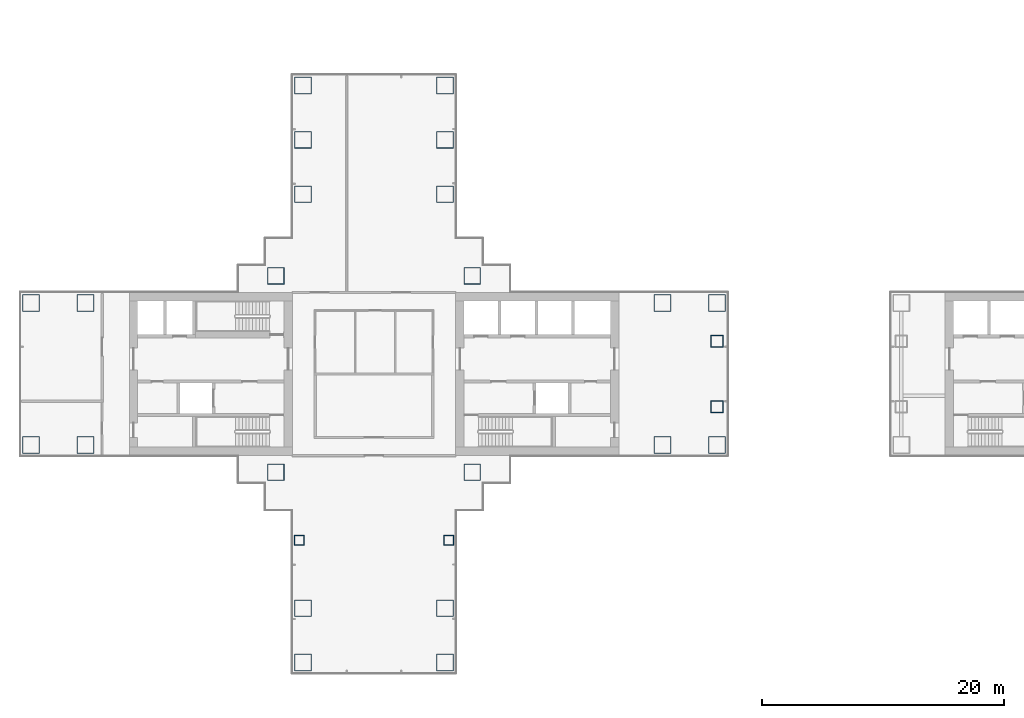
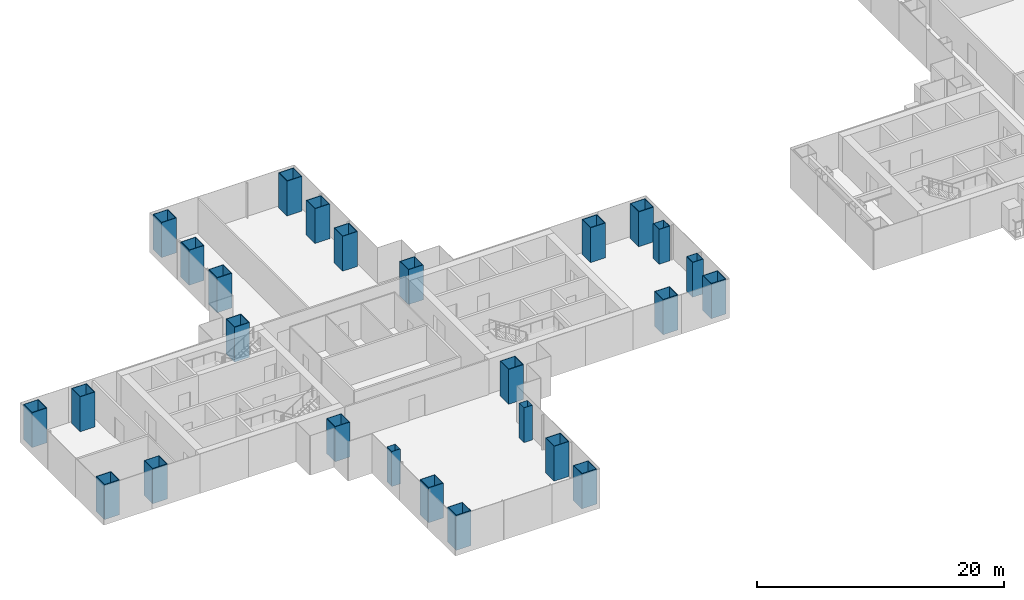
# One storey, part 1 of 22: 26 columns.
"""IFC4 building model written with IfcOpenShell, lengths in metres."""

from ifc_helpers import new_model, si_unit, direction, frame, origin, origin_2d, place, context, subcontext, project, spatial, hollow_rectangle, extrude, material, material_profile, profile_set, type_object, element, save


model = new_model("IFC4")

# Units and contexts
model_context = context("Model", 3, precision=1e-05, world=origin(), true_north=direction((0.0, 1.0)))
body_context = subcontext(model_context, "Body", "Model", "MODEL_VIEW")
ifc_project = project(units=[si_unit("LENGTHUNIT", "METRE"), si_unit("AREAUNIT", "SQUARE_METRE"), si_unit("VOLUMEUNIT", "CUBIC_METRE"), si_unit("PLANEANGLEUNIT", "RADIAN"), si_unit("MASSUNIT", "GRAM", prefix="KILO")], contexts=[model_context])

# Site, building, storey
site_placement = place(None, origin())
site = spatial("IfcSite", under=ifc_project, at=site_placement, CompositionType="ELEMENT")
building_placement = place(site_placement, origin())
building = spatial("IfcBuilding", under=site, at=building_placement, Name="Shamsa Quay Exchange Towers", CompositionType="ELEMENT")
storey_placement = place(building_placement, frame((0.0, 0.0, 73.199951171875)))
storey = spatial("IfcBuildingStorey", under=building, at=storey_placement, Name="L16", CompositionType="ELEMENT", Elevation=73.199951171875)

# Columns
ifc_material_1 = material(Name="Concrete-filled steel tube S355 / C80/95", Category="concrete")
ifc_material_profile_1 = material_profile(ifc_material_1, hollow_rectangle(XDim=1.39990234375, YDim=1.39990234375, WallThickness=0.050048828125, at=origin_2d()), Name="CFT 1400x1400x50")
ifc_profile_set_1 = profile_set([ifc_material_profile_1], Name="Concrete-filled steel tube S355 / C80/95")
column_type_1 = type_object("IfcColumnType", Name="Column CFT 1400x1400x50", PredefinedType="COLUMN", material=ifc_profile_set_1)
for number, where, name in (
    (1, (-25.625, 8.125, 0.0), "Mega column T1-CM01"),
    (2, (-25.625, -8.125, 0.0), "Mega column T1-CM02"),
    (3, (-41.875, 8.125, 0.0), "Mega column T1-CM03"),
    (4, (-41.875, -8.125, 0.0), "Mega column T1-CM04"),
    (5, (-9.875, -5.875, 0.0), "Mega column T1-CM05"),
    (6, (-5.375, -5.875, 0.0), "Mega column T1-CM06"),
    (7, (-9.875, 5.875, 0.0), "Mega column T1-CM07"),
    (8, (-5.375, 5.875, 0.0), "Mega column T1-CM08"),
    (9, (-57.625, -5.875, 0.0), "Mega column T1-CM09"),
    (10, (-62.125, -5.875, 0.0), "Mega column T1-CM10"),
    (11, (-57.625, 5.875, 0.0), "Mega column T1-CM11"),
    (12, (-62.125, 5.875, 0.0), "Mega column T1-CM12"),
    (13, (-39.625, 14.875, 0.0), "Mega column T1-CM13"),
    (14, (-39.625, 19.375, 0.0), "Mega column T1-CM14"),
    (15, (-39.625, 23.875, 0.0), "Mega column T1-CM15"),
    (16, (-27.875, 14.875, 0.0), "Mega column T1-CM16"),
    (17, (-27.875, 19.375, 0.0), "Mega column T1-CM17"),
    (18, (-27.875, 23.875, 0.0), "Mega column T1-CM18"),
    (19, (-39.625, -19.375, 0.0), "Mega column T1-CM20"),
    (20, (-39.625, -23.875, 0.0), "Mega column T1-CM21"),
    (21, (-27.875, -19.375, 0.0), "Mega column T1-CM23"),
    (22, (-27.875, -23.875, 0.0), "Mega column T1-CM24"),
):
    element("IfcColumn", number, at=place(storey_placement, frame(where)), inside=storey, type_object=column_type_1, Name=name, PredefinedType="COLUMN", context=body_context, shape_type="SweptSolid", body=[
        extrude(hollow_rectangle(XDim=1.39990234375, YDim=1.39990234375, WallThickness=0.050048828125, at=origin_2d()), origin(), (0.0, 0.0, 1.0), 3.449951171875),
    ])
ifc_material_2 = material(Name="Concrete-filled steel tube S355 / C60/75", Category="concrete")
ifc_material_profile_2 = material_profile(ifc_material_2, hollow_rectangle(XDim=0.800048828125, YDim=0.800048828125, WallThickness=0.02490234375, at=origin_2d()), Name="CFT 800x800x25")
ifc_profile_set_2 = profile_set([ifc_material_profile_2], Name="Concrete-filled steel tube S355 / C60/75")
column_type_2 = type_object("IfcColumnType", Name="Column CFT 800x800x25", PredefinedType="COLUMN", material=ifc_profile_set_2)
for number, where, name in (
    (23, (-39.9375, -13.75, 0.0), "Perimeter column T1-CP19"),
    (24, (-27.5625, -13.75, 0.0), "Perimeter column T1-CP22"),
):
    element("IfcColumn", number, at=place(storey_placement, frame(where)), inside=storey, type_object=column_type_2, Name=name, PredefinedType="COLUMN", context=body_context, shape_type="SweptSolid", body=[
        extrude(hollow_rectangle(XDim=0.800048828125, YDim=0.800048828125, WallThickness=0.02490234375, at=origin_2d()), origin(), (0.0, 0.0, 1.0), 3.449951171875),
    ])
ifc_material_3 = material(Name="Concrete-filled steel tube S355 / C70/85", Category="concrete")
ifc_material_profile_3 = material_profile(ifc_material_3, hollow_rectangle(XDim=1.0, YDim=1.0, WallThickness=0.0400390625, at=origin_2d()), Name="CFT 1000x1000x40")
ifc_profile_set_3 = profile_set([ifc_material_profile_3], Name="Concrete-filled steel tube S355 / C70/85")
column_type_3 = type_object("IfcColumnType", Name="Landing column CFT 1000x1000x40", PredefinedType="COLUMN", material=ifc_profile_set_3)
for number, where, name in (
    (25, (-5.375, -2.699951171875, 0.0), "Landing column T1 S"),
    (26, (-5.375, 2.699951171875, 0.0), "Landing column T1 N"),
):
    element("IfcColumn", number, at=place(storey_placement, frame(where)), inside=storey, type_object=column_type_3, Name=name, PredefinedType="COLUMN", context=body_context, shape_type="SweptSolid", body=[
        extrude(hollow_rectangle(XDim=1.0, YDim=1.0, WallThickness=0.0400390625, at=origin_2d()), origin(), (0.0, 0.0, 1.0), 3.449951171875),
    ])

save(model, "model.ifc")
